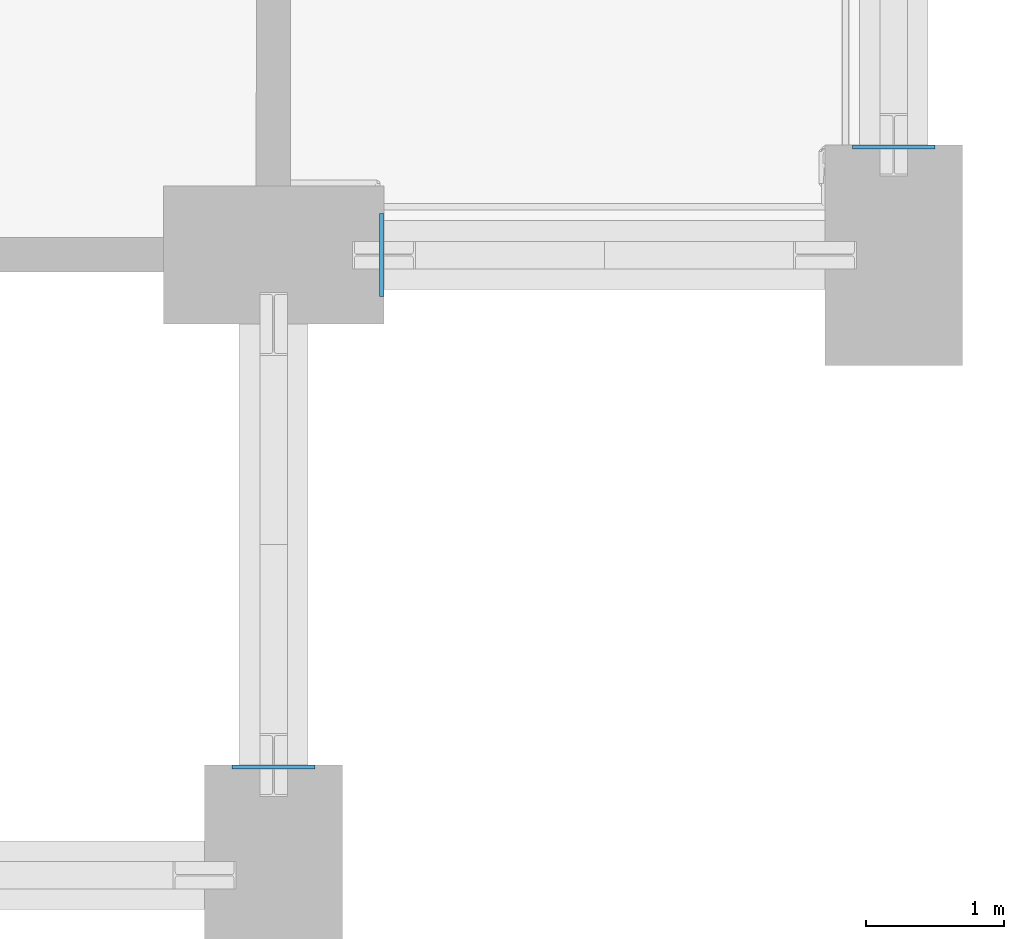
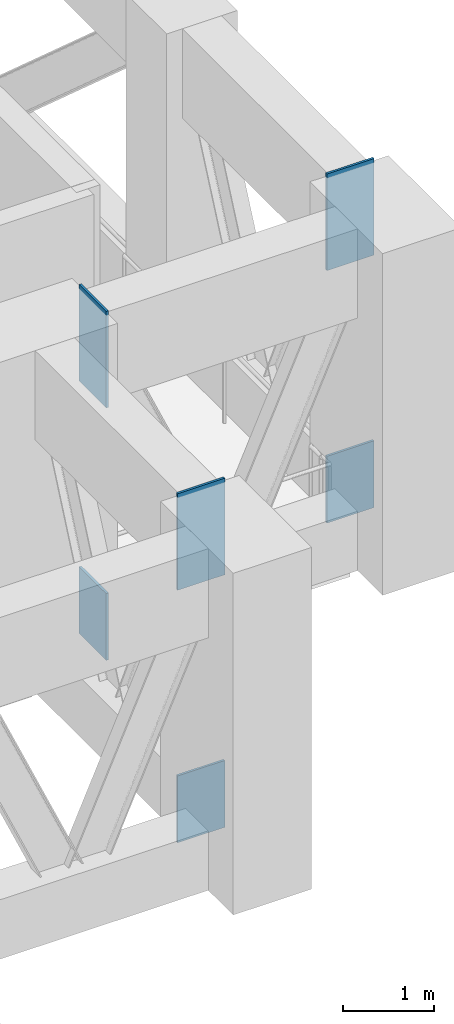
# One storey, part 14 of 18: 6 discrete accessories.
"""IFC4 building model written with IfcOpenShell, lengths in metres."""

from ifc_helpers import new_model, si_unit, direction, frame, origin, origin_2d, place, context, subcontext, project, spatial, rectangle, extrude, material, layer, layer_set, type_object, element, save


model = new_model("IFC4")

# Units and contexts
model_context = context("Model", 3, precision=1e-05, world=origin(), true_north=direction((0.0, 1.0)))
body_context = subcontext(model_context, "Body", "Model", "MODEL_VIEW")
ifc_project = project(units=[si_unit("LENGTHUNIT", "METRE"), si_unit("AREAUNIT", "SQUARE_METRE"), si_unit("VOLUMEUNIT", "CUBIC_METRE"), si_unit("PLANEANGLEUNIT", "RADIAN"), si_unit("MASSUNIT", "GRAM", prefix="KILO")], contexts=[model_context])

# Site, building, storey
site_placement = place(None, origin())
site = spatial("IfcSite", under=ifc_project, at=site_placement, CompositionType="ELEMENT")
building_placement = place(site_placement, origin())
building = spatial("IfcBuilding", under=site, at=building_placement, Name="Hunhe Ridgeline Campus", CompositionType="ELEMENT")
storey_placement = place(building_placement, frame((0.0, 0.0, 276.199951171875)))
storey = spatial("IfcBuildingStorey", under=building, at=storey_placement, Name="L71", CompositionType="ELEMENT", Elevation=276.199951171875)

# Discrete accessories
ifc_material = material(Name="Steel Q420", Category="steel")
ifc_layer_1 = layer(ifc_material, 0.030029296875)
ifc_layer_set_1 = layer_set([ifc_layer_1], Name="Gusset plate 600x1300x30 Steel Q420")
discrete_accessory_type_1 = type_object("IfcDiscreteAccessoryType", Name="Gusset plate 600x1300x30 Steel Q420", PredefinedType="BRACKET", material=ifc_layer_set_1)
for number, where, z_axis, x_axis, name in (
    (1, (49.5, 54.784912109375, 3.35009765625), (0.0, 0.0, 1.0), (0.0, -1.0, 0.0), "Gusset plate BT1 L71 13"),
    (2, (50.284912109375, 58.5, 3.35009765625), (0.0, 0.0, 1.0), (-1.0, 0.0, 0.0), "Gusset plate BT1 L71 15"),
    (3, (54.0, 59.284912109375, 3.35009765625), (0.0, 0.0, 1.0), (0.0, -1.0, 0.0), "Gusset plate BT1 L71 17"),
):
    element("IfcDiscreteAccessory", number, at=place(storey_placement, frame(where, z_axis=z_axis, x_axis=x_axis)), inside=storey, type_object=discrete_accessory_type_1, Name=name, PredefinedType="BRACKET", context=body_context, shape_type="SweptSolid", body=[
        extrude(rectangle(XDim=0.030029296875, YDim=0.60009765625, at=origin_2d()), origin(), (0.0, 0.0, 1.0), 1.300048828125),
    ])
ifc_layer_2 = layer(ifc_material, 0.030029296875)
ifc_layer_set_2 = layer_set([ifc_layer_2], Name="Gusset plate 600x900x30 Steel Q420")
discrete_accessory_type_2 = type_object("IfcDiscreteAccessoryType", Name="Gusset plate 600x900x30 Steel Q420", PredefinedType="BRACKET", material=ifc_layer_set_2)
for number, where, z_axis, x_axis, name in (
    (4, (49.5, 54.784912109375, -0.0498046875), (0.0, 0.0, 1.0), (0.0, -1.0, 0.0), "Gusset plate BT1 L71 14"),
    (5, (50.284912109375, 58.5, -0.0498046875), (0.0, 0.0, 1.0), (-1.0, 0.0, 0.0), "Gusset plate BT1 L71 16"),
    (6, (54.0, 59.284912109375, -0.0498046875), (0.0, 0.0, 1.0), (0.0, -1.0, 0.0), "Gusset plate BT1 L71 18"),
):
    element("IfcDiscreteAccessory", number, at=place(storey_placement, frame(where, z_axis=z_axis, x_axis=x_axis)), inside=storey, type_object=discrete_accessory_type_2, Name=name, PredefinedType="BRACKET", context=body_context, shape_type="SweptSolid", body=[
        extrude(rectangle(XDim=0.030029296875, YDim=0.60009765625, at=origin_2d()), origin(), (0.0, 0.0, 1.0), 0.89990234375),
    ])

save(model, "model.ifc")
